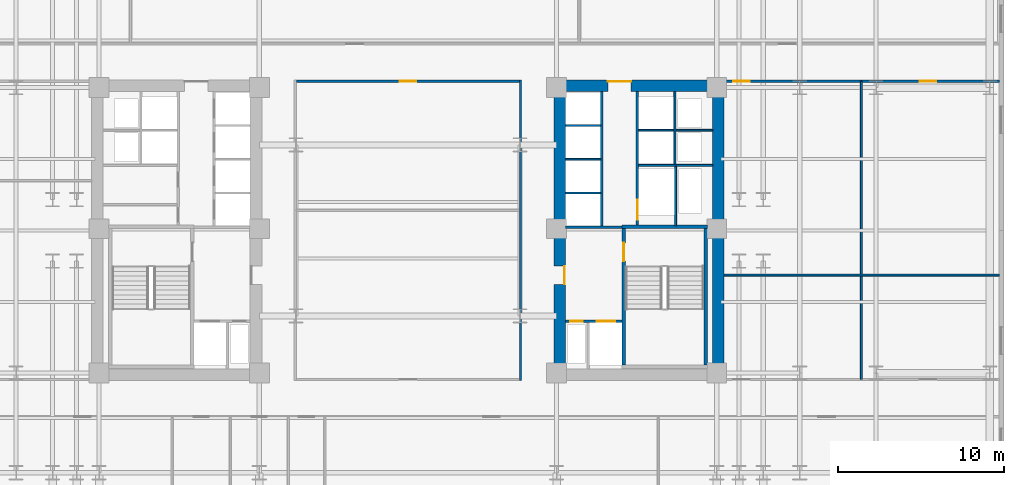
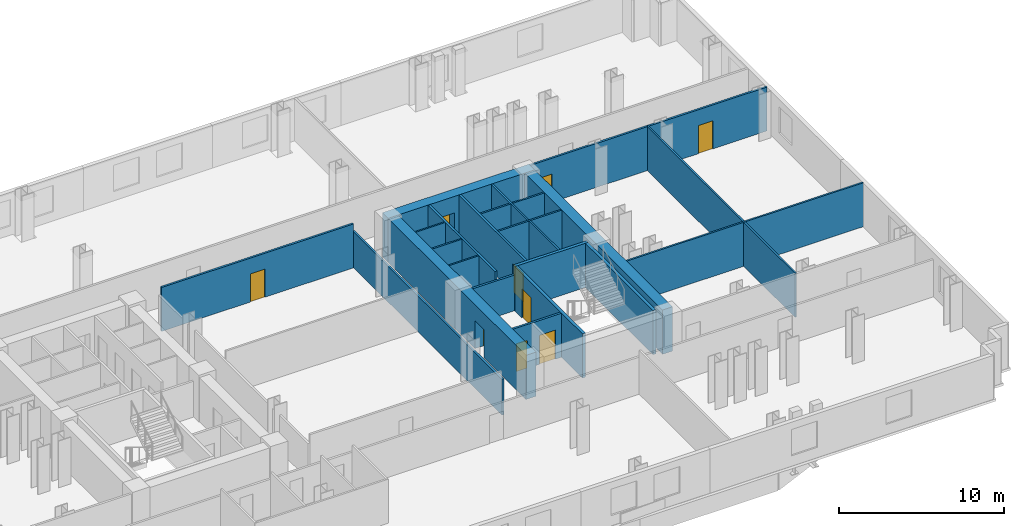
# One storey, part 6 of 10: 23 walls, 9 doors, 9 openings.
"""IFC4 building model written with IfcOpenShell, lengths in metres."""

from ifc_helpers import new_model, si_unit, direction, frame, frame_2d, origin, place, context, subcontext, project, spatial, rectangle, extrude, material, layer, layer_set, type_object, element, fill, save


model = new_model("IFC4")

# Units and contexts
model_context = context("Model", 3, precision=1e-05, world=origin(), true_north=direction((0.0, 1.0)))
body_context = subcontext(model_context, "Body", "Model", "MODEL_VIEW")
ifc_project = project(units=[si_unit("LENGTHUNIT", "METRE"), si_unit("AREAUNIT", "SQUARE_METRE"), si_unit("VOLUMEUNIT", "CUBIC_METRE"), si_unit("PLANEANGLEUNIT", "RADIAN"), si_unit("MASSUNIT", "GRAM", prefix="KILO")], contexts=[model_context])

# Site, building, storey
site_placement = place(None, origin())
site = spatial("IfcSite", under=ifc_project, at=site_placement, CompositionType="ELEMENT")
building_placement = place(site_placement, origin())
building = spatial("IfcBuilding", under=site, at=building_placement, Name="Velakula Bourse", CompositionType="ELEMENT")
storey_placement = place(building_placement, frame((0.0, 0.0, 31.199951171875)))
storey = spatial("IfcBuildingStorey", under=building, at=storey_placement, Name="L07", CompositionType="ELEMENT", Elevation=31.199951171875)

# Wall, opening, door
ifc_material_1 = material(Name="Concrete M50 (fck 50 MPa)", Category="concrete")
ifc_layer_1 = layer(ifc_material_1, 0.2099609375, Name="Concrete M50 (fck 50 MPa)", Category="concrete")
ifc_layer_set_1 = layer_set([ifc_layer_1], Name="Concrete M50 (fck 50 MPa)")
wall_type_1 = type_object("IfcWallType", Name="WL-CORE-210", PredefinedType="SHEAR", material=ifc_layer_set_1)
wall_1_placement = place(storey_placement, frame((12.9951171875, -8.10009765625, 0.0), z_axis=(0.0, 0.0, 1.0), x_axis=(0.0, 1.0, 0.0)))
wall_1 = element("IfcWall", 1, at=wall_1_placement, inside=storey, type_object=wall_type_1, Name="L07 Core E Stairwell Shear Wall IN", PredefinedType="SHEAR", context=body_context, shape_type="SweptSolid", body=[
    extrude(rectangle(XDim=8.2001953125, YDim=0.2099609375, at=frame_2d((4.10009765625, 0.0))), origin(), (0.0, 0.0, 1.0), 3.27001953125),
])
opening_1_placement = place(wall_1_placement, frame((6.25, 0.0, 0.0)))
opening_1 = element("IfcOpeningElement", 2, at=opening_1_placement, cuts=wall_1, Name="Opening D-STE1", PredefinedType="OPENING", context=body_context, shape_type="SweptSolid", body=[
    extrude(rectangle(XDim=1.10009765625, YDim=2.14990234375, at=frame_2d((0.550048828125, 1.074951171875))), frame((0.0, 0.114990234375, 0.0), z_axis=(0.0, -1.0, 0.0), x_axis=(1.0, 0.0, 0.0)), (0.0, 0.0, 1.0), 0.22998046875),
])
ifc_material_2 = material(Name="Galvanised painted hollow steel fire door", Category="steel")
door_type_1 = type_object("IfcDoorType", Name="DR-FD120-1100x2150", OperationType="NOTDEFINED", PredefinedType="DOOR", material=ifc_material_2)
door_1_placement = place(opening_1_placement, origin())
door_1 = element("IfcDoor", 3, at=door_1_placement, inside=storey, type_object=door_type_1, Name="L07 Stair ST-E1 Fire Door", OperationType="SINGLE_SWING_RIGHT", OverallHeight=2.14990234375, OverallWidth=1.10009765625, PredefinedType="DOOR", context=body_context, shape_type="SweptSolid", body=[
    extrude(rectangle(XDim=1.10009765625, YDim=2.14990234375, at=frame_2d((0.550048828125, 1.074951171875))), frame((0.0, 0.02490234375, 0.0), z_axis=(0.0, -1.0, 0.0), x_axis=(1.0, 0.0, 0.0)), (0.0, 0.0, 1.0), 0.050048828125),
])
fill(opening_1, door_1)

# Walls
wall_2_placement = place(storey_placement, frame((17.925048828125, -8.10009765625, 0.0), z_axis=(0.0, 0.0, 1.0), x_axis=(0.0, 1.0, 0.0)))
element("IfcWall", 4, at=wall_2_placement, inside=storey, type_object=wall_type_1, Name="L07 Core E Stairwell Shear Wall OUT", PredefinedType="SHEAR", context=body_context, shape_type="SweptSolid", body=[
    extrude(rectangle(XDim=8.2001953125, YDim=0.2099609375, at=frame_2d((4.10009765625, 0.0))), origin(), (0.0, 0.0, 1.0), 3.27001953125),
])
wall_3_placement = place(storey_placement, frame((18.030029296875, 0.205078125, 0.0), z_axis=(0.0, 0.0, 1.0), x_axis=(-1.0, 0.0, 0.0)))
element("IfcWall", 5, at=wall_3_placement, inside=storey, type_object=wall_type_1, Name="L07 Core E Stairwell Shear Wall N", PredefinedType="SHEAR", context=body_context, shape_type="SweptSolid", body=[
    extrude(rectangle(XDim=5.14013671875, YDim=0.2099609375, at=frame_2d((2.570068359375, 0.0))), origin(), (0.0, 0.0, 1.0), 3.27001953125),
])

# Wall, opening, door
ifc_material_3 = material(Name="Concrete M70 (fck 70 MPa)", Category="concrete")
ifc_layer_2 = layer(ifc_material_3, 0.699951171875, Name="Concrete M70 (fck 70 MPa)", Category="concrete")
ifc_layer_set_2 = layer_set([ifc_layer_2], Name="Concrete M70 (fck 70 MPa)")
wall_type_2 = type_object("IfcWallType", Name="WL-CORE-700", PredefinedType="SHEAR", material=ifc_layer_set_2)
wall_4_placement = place(storey_placement, frame((8.800048828125, 8.699951171875, 0.0), z_axis=(0.0, 0.0, 1.0), x_axis=(1.0, 0.0, 0.0)))
wall_4 = element("IfcWall", 6, at=wall_4_placement, inside=storey, type_object=wall_type_2, Name="L07 Core E Shear Wall N", PredefinedType="SHEAR", context=body_context, shape_type="SweptSolid", body=[
    extrude(rectangle(XDim=10.25, YDim=0.699951171875, at=frame_2d((5.125, 0.0))), origin(), (0.0, 0.0, 1.0), 3.27001953125),
])
opening_2_placement = place(wall_4_placement, frame((3.25, 0.0, 0.0)))
opening_2 = element("IfcOpeningElement", 7, at=opening_2_placement, cuts=wall_4, Name="Opening D-LLE", PredefinedType="OPENING", context=body_context, shape_type="SweptSolid", body=[
    extrude(rectangle(XDim=1.39990234375, YDim=2.050048828125, at=frame_2d((0.699951171875, 1.02490234375))), frame((0.0, 0.35986328125, 0.0), z_axis=(0.0, -1.0, 0.0), x_axis=(1.0, 0.0, 0.0)), (0.0, 0.0, 1.0), 0.719970703125),
])
ifc_material_4 = material(Name="Fire-rated hardwood flush architectural door", Category="wood")
door_type_2 = type_object("IfcDoorType", Name="DR-DBL-FD60-1400", OperationType="DOUBLE_DOOR_SINGLE_SWING", PredefinedType="DOOR", material=ifc_material_4)
door_2_placement = place(opening_2_placement, origin())
door_2 = element("IfcDoor", 8, at=door_2_placement, inside=storey, type_object=door_type_2, Name="L07 Core E Lift Lobby Corridor Double Door", OperationType="DOUBLE_DOOR_SINGLE_SWING", OverallHeight=2.050048828125, OverallWidth=1.39990234375, PredefinedType="DOOR", context=body_context, shape_type="SweptSolid", body=[
    extrude(rectangle(XDim=1.39990234375, YDim=2.050048828125, at=frame_2d((0.699951171875, 1.02490234375))), frame((0.0, 0.294921875, 0.0), z_axis=(0.0, -1.0, 0.0), x_axis=(1.0, 0.0, 0.0)), (0.0, 0.0, 1.0), 0.050048828125),
])
fill(opening_2, door_2)

wall_5_placement = place(storey_placement, frame((9.14990234375, -8.35009765625, 0.0), z_axis=(0.0, 0.0, 1.0), x_axis=(0.0, 1.0, 0.0)))
wall_5 = element("IfcWall", 9, at=wall_5_placement, inside=storey, type_object=wall_type_2, Name="L07 Core E Shear Wall W", PredefinedType="SHEAR", context=body_context, shape_type="SweptSolid", body=[
    extrude(rectangle(XDim=16.7001953125, YDim=0.699951171875, at=frame_2d((8.35009765625, 0.0))), origin(), (0.0, 0.0, 1.0), 3.27001953125),
])
opening_3_placement = place(wall_5_placement, frame((5.10009765625, 0.0, 0.0)))
opening_3 = element("IfcOpeningElement", 10, at=opening_3_placement, cuts=wall_5, Name="Opening D-FLE", PredefinedType="OPENING", context=body_context, shape_type="SweptSolid", body=[
    extrude(rectangle(XDim=1.10009765625, YDim=2.080078125, at=frame_2d((0.550048828125, 1.0400390625))), frame((0.0, 0.35986328125, 0.0), z_axis=(0.0, -1.0, 0.0), x_axis=(1.0, 0.0, 0.0)), (0.0, 0.0, 1.0), 0.719970703125),
])
door_type_3 = type_object("IfcDoorType", Name="DR-FD120-1100", OperationType="NOTDEFINED", PredefinedType="DOOR", material=ifc_material_2)
door_3_placement = place(opening_3_placement, origin())
door_3 = element("IfcDoor", 11, at=door_3_placement, inside=storey, type_object=door_type_3, Name="L07 Firefighting Lobby E Corridor Fire Door", OperationType="SINGLE_SWING_RIGHT", OverallHeight=2.080078125, OverallWidth=1.10009765625, PredefinedType="DOOR", context=body_context, shape_type="SweptSolid", body=[
    extrude(rectangle(XDim=1.10009765625, YDim=2.080078125, at=frame_2d((0.550048828125, 1.0400390625))), frame((0.0, -0.2548828125, 0.0), z_axis=(0.0, -1.0, 0.0), x_axis=(1.0, 0.0, 0.0)), (0.0, 0.0, 1.0), 0.050048828125),
])
fill(opening_3, door_3)

# Walls
wall_6_placement = place(storey_placement, frame((18.699951171875, -8.35009765625, 0.0), z_axis=(0.0, 0.0, 1.0), x_axis=(0.0, 1.0, 0.0)))
element("IfcWall", 12, at=wall_6_placement, inside=storey, type_object=wall_type_2, Name="L07 Core E Shear Wall E", PredefinedType="SHEAR", context=body_context, shape_type="SweptSolid", body=[
    extrude(rectangle(XDim=16.7001953125, YDim=0.699951171875, at=frame_2d((8.35009765625, 0.0))), origin(), (0.0, 0.0, 1.0), 3.27001953125),
])
ifc_material_5 = material(Name="Fire-rated double-layer gypsum drywall partition", Category="gypsum")
ifc_layer_3 = layer(ifc_material_5, 0.1201171875, Name="Fire-rated double-layer gypsum drywall partition", Category="gypsum")
ifc_layer_set_3 = layer_set([ifc_layer_3], Name="Fire-rated double-layer gypsum drywall partition")
wall_type_3 = type_object("IfcWallType", Name="WL-PART-120", PredefinedType="STANDARD", material=ifc_layer_set_3)
for number, where, z_axis, x_axis, name in (
    (13, (9.5, 2.2548828125, 0.0), (0.0, 0.0, 1.0), (1.0, 0.0, 0.0), "L07 Interior Partition WL-CRE-L07-BDIV-0"),
    (14, (9.5, 4.284912109375, 0.0), (0.0, 0.0, 1.0), (1.0, 0.0, 0.0), "L07 Interior Partition WL-CRE-L07-BDIV-1"),
    (15, (9.5, 6.31494140625, 0.0), (0.0, 0.0, 1.0), (1.0, 0.0, 0.0), "L07 Interior Partition WL-CRE-L07-BDIV-2"),
):
    element("IfcWall", number, at=place(storey_placement, frame(where, z_axis=z_axis, x_axis=x_axis)), inside=storey, type_object=wall_type_3, Name=name, PredefinedType="STANDARD", context=body_context, shape_type="SweptSolid", body=[
        extrude(rectangle(XDim=2.10009765625, YDim=0.110107421875, at=frame_2d((1.050048828125, 0.0))), origin(), (0.0, 0.0, 1.0), 3.25),
    ])
wall_7_placement = place(storey_placement, frame((13.89990234375, 3.919921875, 0.0), z_axis=(0.0, 0.0, 1.0), x_axis=(1.0, 0.0, 0.0)))
element("IfcWall", 16, at=wall_7_placement, inside=storey, type_object=wall_type_3, Name="L07 Interior Partition WL-CRE-L07-HI-S", PredefinedType="STANDARD", context=body_context, shape_type="SweptSolid", body=[
    extrude(rectangle(XDim=4.4501953125, YDim=0.1201171875, at=frame_2d((2.22509765625, 0.0))), origin(), (0.0, 0.0, 1.0), 3.25),
])
wall_8_placement = place(storey_placement, frame((16.14990234375, 6.030029296875, 0.0), z_axis=(0.0, 0.0, 1.0), x_axis=(1.0, 0.0, 0.0)))
element("IfcWall", 17, at=wall_8_placement, inside=storey, type_object=wall_type_3, Name="L07 Interior Partition WL-CRE-L07-RIS-MID", PredefinedType="STANDARD", context=body_context, shape_type="SweptSolid", body=[
    extrude(rectangle(XDim=2.2001953125, YDim=0.1201171875, at=frame_2d((1.10009765625, 0.0))), origin(), (0.0, 0.0, 1.0), 3.25),
])
wall_9_placement = place(storey_placement, frame((16.074951171875, 3.97998046875, 0.0), z_axis=(0.0, 0.0, 1.0), x_axis=(0.0, 1.0, 0.0)))
element("IfcWall", 18, at=wall_9_placement, inside=storey, type_object=wall_type_3, Name="L07 Interior Partition WL-CRE-L07-RIS-F", PredefinedType="STANDARD", context=body_context, shape_type="SweptSolid", body=[
    extrude(rectangle(XDim=4.3701171875, YDim=0.1201171875, at=frame_2d((2.18505859375, 0.0))), origin(), (0.0, 0.0, 1.0), 3.25),
])
wall_10_placement = place(storey_placement, frame((13.89990234375, 6.030029296875, 0.0), z_axis=(0.0, 0.0, 1.0), x_axis=(1.0, 0.0, 0.0)))
element("IfcWall", 19, at=wall_10_placement, inside=storey, type_object=wall_type_3, Name="L07 Interior Partition WL-CRE-L07-HI-DIV", PredefinedType="STANDARD", context=body_context, shape_type="SweptSolid", body=[
    extrude(rectangle(XDim=2.10009765625, YDim=0.1201171875, at=frame_2d((1.050048828125, 0.0))), origin(), (0.0, 0.0, 1.0), 3.25),
])
wall_11_placement = place(storey_placement, frame((16.125, 0.27001953125, 0.0), z_axis=(0.0, 0.0, 1.0), x_axis=(0.0, 1.0, 0.0)))
element("IfcWall", 20, at=wall_11_placement, inside=storey, type_object=wall_type_3, Name="L07 Interior Partition WL-CRE-L07-SVL-E", PredefinedType="STANDARD", context=body_context, shape_type="SweptSolid", body=[
    extrude(rectangle(XDim=3.590087890625, YDim=0.1201171875, at=frame_2d((1.794921875, 0.0))), origin(), (0.0, 0.0, 1.0), 3.25),
])
wall_12_placement = place(storey_placement, frame((19.050048828125, -2.699951171875, 0.0), z_axis=(0.0, 0.0, 1.0), x_axis=(1.0, 0.0, 0.0)))
element("IfcWall", 21, at=wall_12_placement, inside=storey, type_object=wall_type_3, Name="L07 Interior Partition WL-INT-L07-E-H", PredefinedType="STANDARD", context=body_context, shape_type="SweptSolid", body=[
    extrude(rectangle(XDim=16.570068359375, YDim=0.1201171875, at=frame_2d((8.28515625, 0.0))), origin(), (0.0, 0.0, 1.0), 3.25),
])
wall_13_placement = place(storey_placement, frame((27.304931640625, -8.97998046875, 0.0), z_axis=(0.0, 0.0, 1.0), x_axis=(0.0, 1.0, 0.0)))
element("IfcWall", 22, at=wall_13_placement, inside=storey, type_object=wall_type_3, Name="L07 Interior Partition WL-INT-L07-E-V1", PredefinedType="STANDARD", context=body_context, shape_type="SweptSolid", body=[
    extrude(rectangle(XDim=17.9599609375, YDim=0.1201171875, at=frame_2d((8.97998046875, 0.0))), origin(), (0.0, 0.0, 1.0), 3.25),
])

# Wall, openings, doors
ifc_layer_4 = layer(ifc_material_5, 0.139892578125, Name="Fire-rated double-layer gypsum drywall partition", Category="gypsum")
ifc_layer_set_4 = layer_set([ifc_layer_4], Name="Fire-rated double-layer gypsum drywall partition")
wall_type_4 = type_object("IfcWallType", Name="WL-PART-140", PredefinedType="STANDARD", material=ifc_layer_set_4)
wall_14_placement = place(storey_placement, frame((19.050048828125, 8.97998046875, 0.0), z_axis=(0.0, 0.0, 1.0), x_axis=(1.0, 0.0, 0.0)))
wall_14 = element("IfcWall", 23, at=wall_14_placement, inside=storey, type_object=wall_type_4, Name="L07 Interior Partition WL-INT-L07-E-NC", PredefinedType="STANDARD", context=body_context, shape_type="SweptSolid", body=[
    extrude(rectangle(XDim=16.570068359375, YDim=0.139892578125, at=frame_2d((8.28515625, 0.0))), origin(), (0.0, 0.0, 1.0), 3.25),
])
opening_4_placement = place(wall_14_placement, frame((0.534912109375, 0.0, 0.0)))
opening_4 = element("IfcOpeningElement", 24, at=opening_4_placement, cuts=wall_14, Name="Opening D-OF1", PredefinedType="OPENING", context=body_context, shape_type="SweptSolid", body=[
    extrude(rectangle(XDim=1.0, YDim=2.080078125, at=frame_2d((0.5, 1.0400390625))), frame((0.0, 0.079833984375, 0.0), z_axis=(0.0, -1.0, 0.0), x_axis=(1.0, 0.0, 0.0)), (0.0, 0.0, 1.0), 0.159912109375),
])
opening_5_placement = place(wall_14_placement, frame((11.782470703125, 0.0, 0.0)))
opening_5 = element("IfcOpeningElement", 25, at=opening_5_placement, cuts=wall_14, Name="Opening D-OF1", PredefinedType="OPENING", context=body_context, shape_type="SweptSolid", body=[
    extrude(rectangle(XDim=1.0, YDim=2.080078125, at=frame_2d((0.5, 1.0400390625))), frame((0.0, 0.079833984375, 0.0), z_axis=(0.0, -1.0, 0.0), x_axis=(1.0, 0.0, 0.0)), (0.0, 0.0, 1.0), 0.159912109375),
])
door_type_4 = type_object("IfcDoorType", Name="DR-OFF-1000", OperationType="NOTDEFINED", PredefinedType="DOOR", material=ifc_material_4)
door_4_placement = place(opening_4_placement, origin())
door_4 = element("IfcDoor", 26, at=door_4_placement, inside=storey, type_object=door_type_4, Name="L07 Legal Counsel Office Door", OperationType="SINGLE_SWING_LEFT", OverallHeight=2.080078125, OverallWidth=1.0, PredefinedType="DOOR", context=body_context, shape_type="SweptSolid", body=[
    extrude(rectangle(XDim=1.0, YDim=2.080078125, at=frame_2d((0.5, 1.0400390625))), frame((0.0, 0.02490234375, 0.0), z_axis=(0.0, -1.0, 0.0), x_axis=(1.0, 0.0, 0.0)), (0.0, 0.0, 1.0), 0.050048828125),
])
fill(opening_4, door_4)
door_5_placement = place(opening_5_placement, origin())
door_5 = element("IfcDoor", 27, at=door_5_placement, inside=storey, type_object=door_type_4, Name="L07 Listing Committee Chamber Door", OperationType="SINGLE_SWING_RIGHT", OverallHeight=2.080078125, OverallWidth=1.0, PredefinedType="DOOR", context=body_context, shape_type="SweptSolid", body=[
    extrude(rectangle(XDim=1.0, YDim=2.080078125, at=frame_2d((0.5, 1.0400390625))), frame((0.0, 0.02490234375, 0.0), z_axis=(0.0, -1.0, 0.0), x_axis=(1.0, 0.0, 0.0)), (0.0, 0.0, 1.0), 0.050048828125),
])
fill(opening_5, door_5)

# Wall
wall_15_placement = place(storey_placement, frame((6.780029296875, -9.050048828125, 0.0), z_axis=(0.0, 0.0, 1.0), x_axis=(0.0, 1.0, 0.0)))
element("IfcWall", 28, at=wall_15_placement, inside=storey, type_object=wall_type_4, Name="L07 Interior Partition WL-INT-L07-MID-E", PredefinedType="STANDARD", context=body_context, shape_type="SweptSolid", body=[
    extrude(rectangle(XDim=18.10009765625, YDim=0.139892578125, at=frame_2d((9.050048828125, 0.0))), origin(), (0.0, 0.0, 1.0), 2.64501953125),
])

# Wall, opening, door
wall_16_placement = place(storey_placement, frame((-6.7099609375, 8.97998046875, 0.0), z_axis=(0.0, 0.0, 1.0), x_axis=(1.0, 0.0, 0.0)))
wall_16 = element("IfcWall", 29, at=wall_16_placement, inside=storey, type_object=wall_type_4, Name="L07 Interior Partition WL-INT-L07-MID-N", PredefinedType="STANDARD", context=body_context, shape_type="SweptSolid", body=[
    extrude(rectangle(XDim=13.419921875, YDim=0.139892578125, at=frame_2d((6.7099609375, 0.0))), origin(), (0.0, 0.0, 1.0), 3.25),
])
opening_6_placement = place(wall_16_placement, frame((6.2099609375, 0.0, 0.0)))
opening_6 = element("IfcOpeningElement", 30, at=opening_6_placement, cuts=wall_16, Name="Opening D-OF1", PredefinedType="OPENING", context=body_context, shape_type="SweptSolid", body=[
    extrude(rectangle(XDim=1.0, YDim=2.080078125, at=frame_2d((0.5, 1.0400390625))), frame((0.0, 0.079833984375, 0.0), z_axis=(0.0, -1.0, 0.0), x_axis=(1.0, 0.0, 0.0)), (0.0, 0.0, 1.0), 0.159912109375),
])
door_6_placement = place(opening_6_placement, origin())
door_6 = element("IfcDoor", 31, at=door_6_placement, inside=storey, type_object=door_type_4, Name="L07 Central Boardroom North Door", OperationType="SINGLE_SWING_RIGHT", OverallHeight=2.080078125, OverallWidth=1.0, PredefinedType="DOOR", context=body_context, shape_type="SweptSolid", body=[
    extrude(rectangle(XDim=1.0, YDim=2.080078125, at=frame_2d((0.5, 1.0400390625))), frame((0.0, 0.02490234375, 0.0), z_axis=(0.0, -1.0, 0.0), x_axis=(1.0, 0.0, 0.0)), (0.0, 0.0, 1.0), 0.050048828125),
])
fill(opening_6, door_6)

# Wall, openings, doors
ifc_material_6 = material(Name="Autoclaved aerated concrete blockwork masonry", Category="masonry")
ifc_layer_5 = layer(ifc_material_6, 0.14990234375, Name="Autoclaved aerated concrete blockwork masonry", Category="masonry")
ifc_layer_set_5 = layer_set([ifc_layer_5], Name="Autoclaved aerated concrete blockwork masonry")
wall_type_5 = type_object("IfcWallType", Name="WL-SHAFT-150", PredefinedType="STANDARD", material=ifc_layer_set_5)
wall_17_placement = place(storey_placement, frame((9.5, -5.47509765625, 0.0), z_axis=(0.0, 0.0, 1.0), x_axis=(1.0, 0.0, 0.0)))
wall_17 = element("IfcWall", 32, at=wall_17_placement, inside=storey, type_object=wall_type_5, Name="L07 Interior Partition WL-CRE-L07-FFL-N", PredefinedType="STANDARD", context=body_context, shape_type="SweptSolid", body=[
    extrude(rectangle(XDim=3.39501953125, YDim=0.14990234375, at=frame_2d((1.697509765625, 0.0))), origin(), (0.0, 0.0, 1.0), 3.25),
])
opening_7_placement = place(wall_17_placement, frame((1.875, 0.0, 0.0)))
opening_7 = element("IfcOpeningElement", 33, at=opening_7_placement, cuts=wall_17, Name="Opening LD-FFL-2", PredefinedType="OPENING", context=body_context, shape_type="SweptSolid", body=[
    extrude(rectangle(XDim=1.10009765625, YDim=2.14990234375, at=frame_2d((0.550048828125, 1.074951171875))), frame((0.0, 0.0849609375, 0.0), z_axis=(0.0, -1.0, 0.0), x_axis=(1.0, 0.0, 0.0)), (0.0, 0.0, 1.0), 0.169921875),
])
opening_8_placement = place(wall_17_placement, frame((0.27490234375, 0.0, 0.0)))
opening_8 = element("IfcOpeningElement", 34, at=opening_8_placement, cuts=wall_17, Name="Opening D-RS1", PredefinedType="OPENING", context=body_context, shape_type="SweptSolid", body=[
    extrude(rectangle(XDim=0.75, YDim=2.050048828125, at=frame_2d((0.375, 1.02490234375))), frame((0.0, 0.0849609375, 0.0), z_axis=(0.0, -1.0, 0.0), x_axis=(1.0, 0.0, 0.0)), (0.0, 0.0, 1.0), 0.169921875),
])
door_type_5 = type_object("IfcDoorType", Name="DR-RISER-800", OperationType="NOTDEFINED", PredefinedType="DOOR", material=ifc_material_2)
door_7_placement = place(opening_8_placement, origin())
door_7 = element("IfcDoor", 35, at=door_7_placement, inside=storey, type_object=door_type_5, Name="L07 Fire Riser Access Door", OperationType="SINGLE_SWING_LEFT", OverallHeight=2.050048828125, OverallWidth=0.75, PredefinedType="DOOR", context=body_context, shape_type="SweptSolid", body=[
    extrude(rectangle(XDim=0.75, YDim=2.050048828125, at=frame_2d((0.375, 1.02490234375))), frame((0.0, 0.02490234375, 0.0), z_axis=(0.0, -1.0, 0.0), x_axis=(1.0, 0.0, 0.0)), (0.0, 0.0, 1.0), 0.050048828125),
])
fill(opening_8, door_7)
ifc_material_7 = material(Name="Brushed grade 316 stainless steel", Category="steel")
door_type_6 = type_object("IfcDoorType", Name="DR-SLIDE-FFL-1100", OperationType="DOUBLE_DOOR_SLIDING", PredefinedType="DOOR", material=ifc_material_7)
door_8_placement = place(opening_7_placement, origin())
door_8 = element("IfcDoor", 36, at=door_8_placement, inside=storey, type_object=door_type_6, Name="L07 Firefighting Lift FFL-2 Sliding Landing Door", OperationType="DOUBLE_DOOR_SLIDING", OverallHeight=2.14990234375, OverallWidth=1.10009765625, PredefinedType="DOOR", context=body_context, shape_type="SweptSolid", body=[
    extrude(rectangle(XDim=1.10009765625, YDim=2.14990234375, at=frame_2d((0.550048828125, 1.074951171875))), frame((0.0, 0.02490234375, 0.0), z_axis=(0.0, -1.0, 0.0), x_axis=(1.0, 0.0, 0.0)), (0.0, 0.0, 1.0), 0.050048828125),
])
fill(opening_7, door_8)

# Walls
wall_18_placement = place(storey_placement, frame((9.5, 0.18994140625, 0.0), z_axis=(0.0, 0.0, 1.0), x_axis=(1.0, 0.0, 0.0)))
element("IfcWall", 37, at=wall_18_placement, inside=storey, type_object=wall_type_5, Name="L07 Interior Partition WL-CRE-L07-FF-TOP", PredefinedType="STANDARD", context=body_context, shape_type="SweptSolid", body=[
    extrude(rectangle(XDim=3.389892578125, YDim=0.14990234375, at=frame_2d((1.69482421875, 0.0))), origin(), (0.0, 0.0, 1.0), 2.64501953125),
])
wall_19_placement = place(storey_placement, frame((11.675048828125, 0.27001953125, 0.0), z_axis=(0.0, 0.0, 1.0), x_axis=(0.0, 1.0, 0.0)))
element("IfcWall", 38, at=wall_19_placement, inside=storey, type_object=wall_type_5, Name="L07 Interior Partition WL-CRE-L07-BANK-F", PredefinedType="STANDARD", context=body_context, shape_type="SweptSolid", body=[
    extrude(rectangle(XDim=8.080078125, YDim=0.14990234375, at=frame_2d((4.0400390625, 0.0))), origin(), (0.0, 0.0, 1.0), 3.25),
])

# Wall, opening, door
wall_20_placement = place(storey_placement, frame((13.824951171875, 0.27001953125, 0.0), z_axis=(0.0, 0.0, 1.0), x_axis=(0.0, 1.0, 0.0)))
wall_20 = element("IfcWall", 39, at=wall_20_placement, inside=storey, type_object=wall_type_5, Name="L07 Interior Partition WL-CRE-L07-OUT-F", PredefinedType="STANDARD", context=body_context, shape_type="SweptSolid", body=[
    extrude(rectangle(XDim=8.080078125, YDim=0.14990234375, at=frame_2d((4.0400390625, 0.0))), origin(), (0.0, 0.0, 1.0), 3.25),
])
opening_9_placement = place(wall_20_placement, frame((0.3798828125, 0.0, 0.0)))
opening_9 = element("IfcOpeningElement", 40, at=opening_9_placement, cuts=wall_20, Name="Opening LD-SVL1", PredefinedType="OPENING", context=body_context, shape_type="SweptSolid", body=[
    extrude(rectangle(XDim=1.199951171875, YDim=2.10009765625, at=frame_2d((0.60009765625, 1.050048828125))), frame((0.0, 0.0849609375, 0.0), z_axis=(0.0, -1.0, 0.0), x_axis=(1.0, 0.0, 0.0)), (0.0, 0.0, 1.0), 0.169921875),
])
door_type_7 = type_object("IfcDoorType", Name="DR-SLIDE-LD-1200", OperationType="DOUBLE_DOOR_SLIDING", PredefinedType="DOOR", material=ifc_material_7)
door_9_placement = place(opening_9_placement, origin())
door_9 = element("IfcDoor", 41, at=door_9_placement, inside=storey, type_object=door_type_7, Name="L07 Service Lift SVL-1 Sliding Landing Door", OperationType="DOUBLE_DOOR_SLIDING", OverallHeight=2.10009765625, OverallWidth=1.199951171875, PredefinedType="DOOR", context=body_context, shape_type="SweptSolid", body=[
    extrude(rectangle(XDim=1.199951171875, YDim=2.10009765625, at=frame_2d((0.60009765625, 1.050048828125))), frame((0.0, 0.02490234375, 0.0), z_axis=(0.0, -1.0, 0.0), x_axis=(1.0, 0.0, 0.0)), (0.0, 0.0, 1.0), 0.050048828125),
])
fill(opening_9, door_9)

save(model, "model.ifc")
